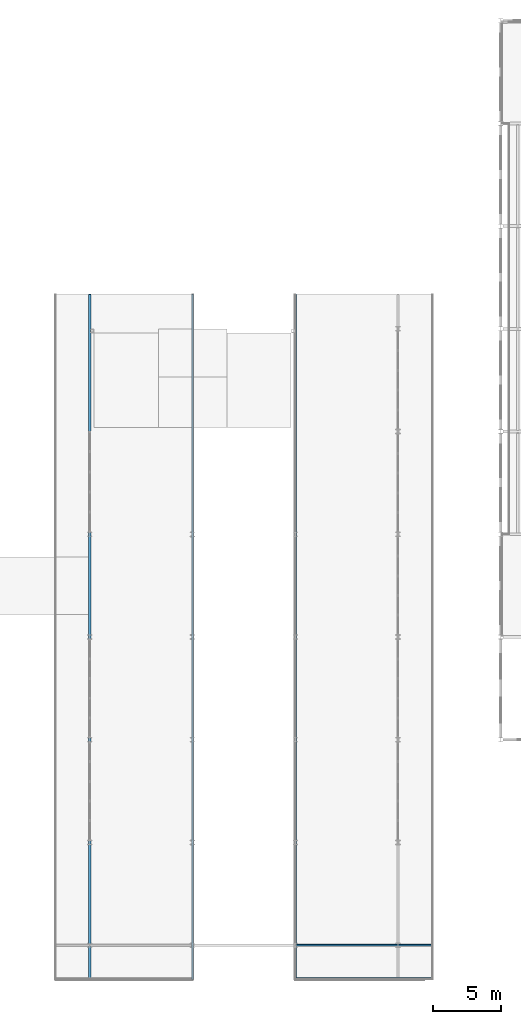
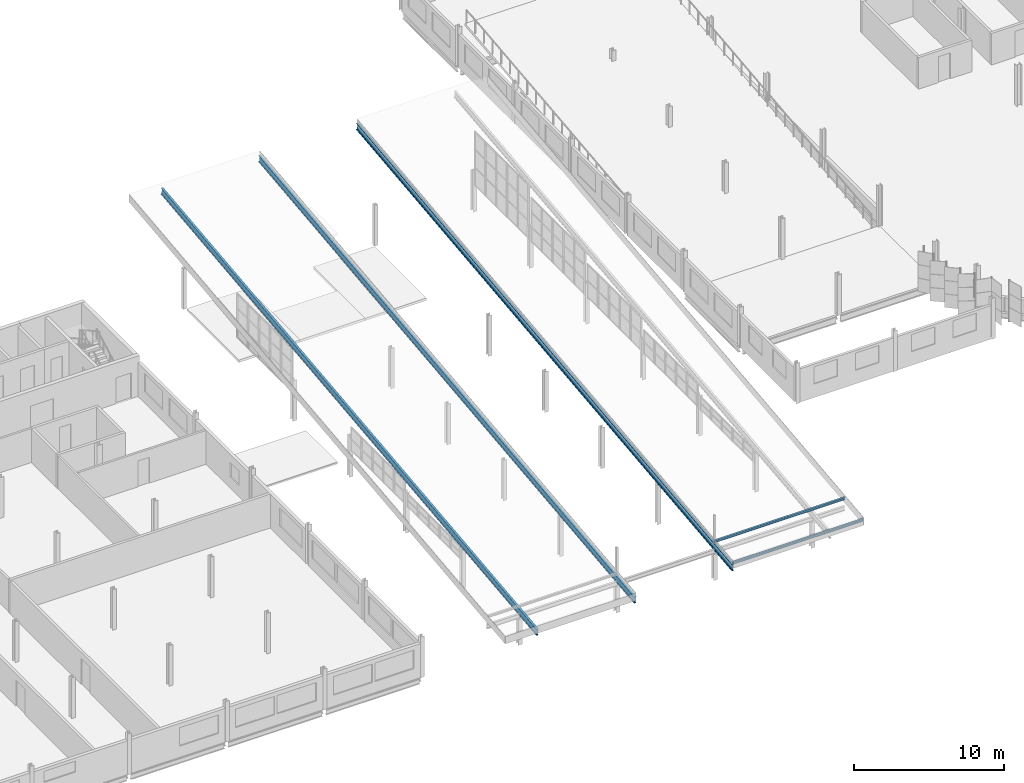
# One storey, part 36 of 199: 5 members.
"""IFC4 building model written with IfcOpenShell, lengths in metres."""

from ifc_helpers import new_model, si_unit, direction, frame, origin, origin_2d, place, context, subcontext, project, spatial, i_section, extrude, material, material_profile, profile_set, type_object, element, save


model = new_model("IFC4")

# Units and contexts
model_context = context("Model", 3, precision=1e-05, world=origin(), true_north=direction((0.0, 1.0)))
body_context = subcontext(model_context, "Body", "Model", "MODEL_VIEW")
ifc_project = project(units=[si_unit("LENGTHUNIT", "METRE"), si_unit("AREAUNIT", "SQUARE_METRE"), si_unit("VOLUMEUNIT", "CUBIC_METRE"), si_unit("PLANEANGLEUNIT", "RADIAN"), si_unit("MASSUNIT", "GRAM", prefix="KILO")], contexts=[model_context])

# Site, building, storey
site_placement = place(None, origin())
site = spatial("IfcSite", under=ifc_project, at=site_placement, CompositionType="ELEMENT")
building_placement = place(site_placement, origin())
building = spatial("IfcBuilding", under=site, at=building_placement, Name="Parallax Yard Mobility Hub", CompositionType="ELEMENT")
storey_placement = place(building_placement, frame((0.0, 0.0, 9.89990234375)))
storey = spatial("IfcBuildingStorey", under=building, at=storey_placement, Name="L03", CompositionType="ELEMENT", Elevation=9.89990234375)

# Members
ifc_material = material(Name="Steel ASTM A992", Category="steel")
ifc_material_profile_1 = material_profile(ifc_material, i_section(OverallWidth=0.166015625, OverallDepth=0.529052734375, WebThickness=0.009765625, FlangeThickness=0.013671875, at=origin_2d()), Name="W530x74")
ifc_profile_set_1 = profile_set([ifc_material_profile_1], Name="Steel ASTM A992")
member_type_1 = type_object("IfcMemberType", Name="Hall roof rafter W530x74", PredefinedType="RAFTER", material=ifc_profile_set_1)
for number, where, z_axis, x_axis, name in (
    (1, (150.0, 5.029296875, 2.40673828125), (0.0, 0.993883497942, 0.110433656637), (-1.0, 0.0, 0.0), "Hall roof rafter at x 150"),
    (2, (157.5, 5.029296875, 2.40673828125), (0.0, 0.993883497942, 0.110433656637), (-1.0, 0.0, 0.0), "Hall roof rafter at x 157.5"),
    (3, (165.0, 5.029296875, 2.40673828125), (0.0, 0.993883497942, 0.110433656637), (-1.0, 0.0, 0.0), "Hall roof rafter at x 165"),
):
    element("IfcMember", number, at=place(storey_placement, frame(where, z_axis=z_axis, x_axis=x_axis)), inside=storey, type_object=member_type_1, Name=name, PredefinedType="RAFTER", context=body_context, shape_type="SweptSolid", body=[
        extrude(i_section(OverallWidth=0.166015625, OverallDepth=0.529052734375, WebThickness=0.009765625, FlangeThickness=0.013671875, at=origin_2d()), origin(), (0.0, 0.0, 1.0), 50.3076171875),
    ])
ifc_material_profile_2 = material_profile(ifc_material, i_section(OverallWidth=0.133056640625, OverallDepth=0.20703125, WebThickness=0.005859375, FlangeThickness=0.00830078125, at=origin_2d()), Name="W200x27")
ifc_profile_set_2 = profile_set([ifc_material_profile_2], Name="Steel ASTM A992")
member_type_2 = type_object("IfcMemberType", Name="Roof purlin W200x27", PredefinedType="PURLIN", material=ifc_profile_set_2)
for number, where, z_axis, x_axis, name in (
    (4, (165.0, 5.0712890625, 2.78173828125), (1.0, 0.0, 0.0), (0.0, 0.993883718765, 0.110431669255), "Roof purlin east of the monitor at y 5.06"),
    (5, (165.0, 7.511474609375, 3.052734375), (1.0, 0.0, 0.0), (0.0, 0.993883718765, 0.110431669255), "Roof purlin east of the monitor at y 7.5"),
):
    element("IfcMember", number, at=place(storey_placement, frame(where, z_axis=z_axis, x_axis=x_axis)), inside=storey, type_object=member_type_2, Name=name, PredefinedType="PURLIN", context=body_context, shape_type="SweptSolid", body=[
        extrude(i_section(OverallWidth=0.133056640625, OverallDepth=0.20703125, WebThickness=0.005859375, FlangeThickness=0.00830078125, at=origin_2d()), origin(), (0.0, 0.0, 1.0), 10.0),
    ])

save(model, "model.ifc")
